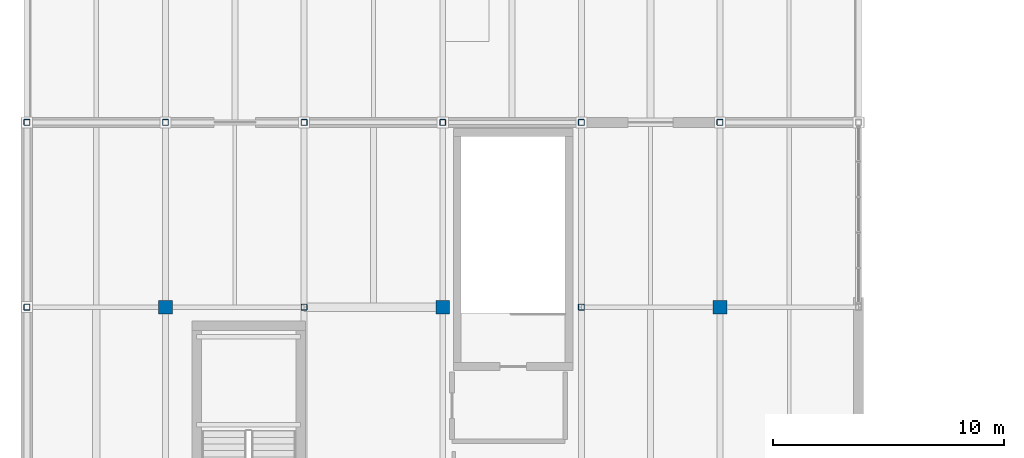
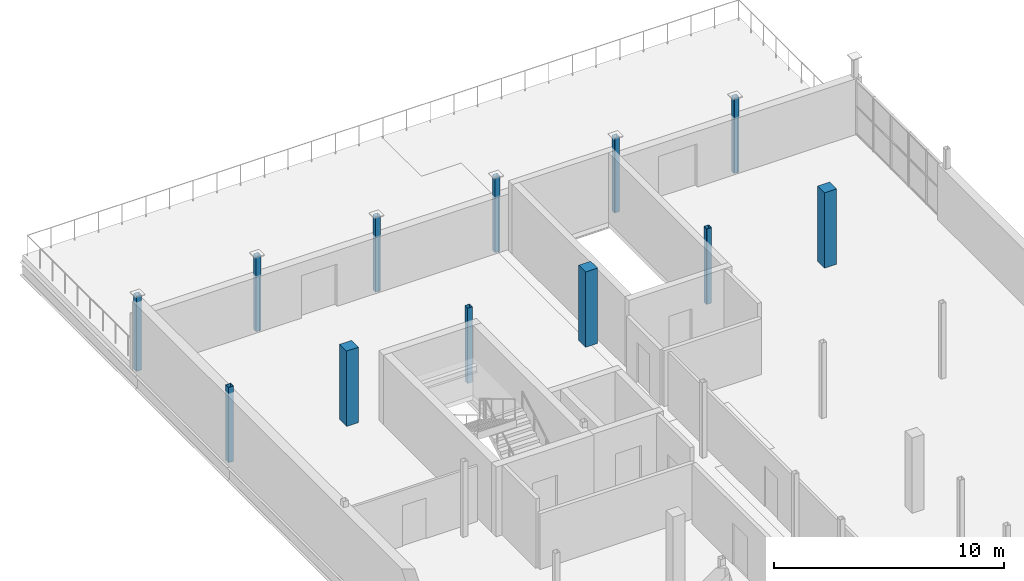
# One storey, part 7 of 35: 12 columns.
"""IFC4 building model written with IfcOpenShell, lengths in metres."""

from ifc_helpers import new_model, si_unit, direction, frame, origin, origin_2d, place, context, subcontext, project, spatial, rectangle, hollow_rectangle, extrude, material, material_profile, profile_set, type_object, element, save


model = new_model("IFC4")

# Units and contexts
model_context = context("Model", 3, precision=1e-05, world=origin(), true_north=direction((0.0, 1.0)))
body_context = subcontext(model_context, "Body", "Model", "MODEL_VIEW")
ifc_project = project(units=[si_unit("LENGTHUNIT", "METRE"), si_unit("AREAUNIT", "SQUARE_METRE"), si_unit("VOLUMEUNIT", "CUBIC_METRE"), si_unit("PLANEANGLEUNIT", "RADIAN"), si_unit("MASSUNIT", "GRAM", prefix="KILO")], contexts=[model_context])

# Site, building, storey
site_placement = place(None, origin())
site = spatial("IfcSite", under=ifc_project, at=site_placement, CompositionType="ELEMENT")
building_placement = place(site_placement, origin())
building = spatial("IfcBuilding", under=site, at=building_placement, Name="Verrall Gate Interchange", CompositionType="ELEMENT")
storey_placement = place(building_placement, frame((0.0, 0.0, 15.39990234375)))
storey = spatial("IfcBuildingStorey", under=building, at=storey_placement, Name="L04", CompositionType="ELEMENT", Elevation=15.39990234375)

# Columns
ifc_material_1 = material(Name="Concrete CSA A23.1 40 MPa (Class N)", Category="concrete")
ifc_material_profile_1 = material_profile(ifc_material_1, rectangle(XDim=0.60009765625, YDim=0.60009765625, at=origin_2d()), Name="RC600x600")
ifc_profile_set_1 = profile_set([ifc_material_profile_1], Name="Concrete CSA A23.1 40 MPa (Class N)")
column_type_1 = type_object("IfcColumnType", Name="C-04 Column RC600x600", PredefinedType="COLUMN", material=ifc_profile_set_1)
for number, where, z_axis, x_axis, name in (
    (1, (6.0, 66.0, 0.0), (0.0, 0.0, 1.0), (1.0, 0.0, 0.0), "L04 Column COL-L04-0229 (C-04)"),
    (2, (18.0, 66.0, 0.0), (0.0, 0.0, 1.0), (1.0, 0.0, 0.0), "L04 Column COL-L04-0463 (C-04)"),
    (3, (30.0, 66.0, 0.0), (0.0, 0.0, 1.0), (1.0, 0.0, 0.0), "L04 Column COL-L04-0697 (C-04)"),
):
    element("IfcColumn", number, at=place(storey_placement, frame(where, z_axis=z_axis, x_axis=x_axis)), inside=storey, type_object=column_type_1, Name=name, PredefinedType="COLUMN", context=body_context, shape_type="SweptSolid", body=[
        extrude(rectangle(XDim=0.60009765625, YDim=0.60009765625, at=origin_2d()), origin(), (0.0, 0.0, 1.0), 4.0),
    ])
ifc_material_2 = material(Name="Structural Steel CSA G40.21 350WT Cat 4", Category="steel")
ifc_material_profile_2 = material_profile(ifc_material_2, hollow_rectangle(XDim=0.25390625, YDim=0.25390625, WallThickness=0.009521484375, InnerFilletRadius=0.009521484375, OuterFilletRadius=0.01904296875, at=origin_2d()), Name="HSS254x254x9.5")
ifc_profile_set_2 = profile_set([ifc_material_profile_2], Name="Structural Steel CSA G40.21 350WT Cat 4")
column_type_2 = type_object("IfcColumnType", Name="C-13 Column HSS254x254x9.5", PredefinedType="COLUMN", material=ifc_profile_set_2)
for number, where, z_axis, x_axis, name in (
    (4, (0.0, 66.0, 0.0), (0.0, 0.0, 1.0), (1.0, 0.0, 0.0), "L04 Column COL-L04-0084 (C-13)"),
    (5, (0.0, 74.0, 0.0), (0.0, 0.0, 1.0), (1.0, 0.0, 0.0), "L04 Column COL-L04-0091 (C-13)"),
    (6, (6.0, 74.0, 0.0), (0.0, 0.0, 1.0), (1.0, 0.0, 0.0), "L04 Column COL-L04-0236 (C-13)"),
    (7, (12.0, 66.0, 0.0), (0.0, 0.0, 1.0), (1.0, 0.0, 0.0), "L04 Column COL-L04-0346 (C-13)"),
    (8, (12.0, 74.0, 0.0), (0.0, 0.0, 1.0), (1.0, 0.0, 0.0), "L04 Column COL-L04-0353 (C-13)"),
    (9, (18.0, 74.0, 0.0), (0.0, 0.0, 1.0), (1.0, 0.0, 0.0), "L04 Column COL-L04-0470 (C-13)"),
    (10, (24.0, 66.0, 0.0), (0.0, 0.0, 1.0), (1.0, 0.0, 0.0), "L04 Column COL-L04-0580 (C-13)"),
    (11, (24.0, 74.0, 0.0), (0.0, 0.0, 1.0), (1.0, 0.0, 0.0), "L04 Column COL-L04-0587 (C-13)"),
    (12, (30.0, 74.0, 0.0), (0.0, 0.0, 1.0), (1.0, 0.0, 0.0), "L04 Column COL-L04-0704 (C-13)"),
):
    element("IfcColumn", number, at=place(storey_placement, frame(where, z_axis=z_axis, x_axis=x_axis)), inside=storey, type_object=column_type_2, Name=name, PredefinedType="COLUMN", context=body_context, shape_type="SweptSolid", body=[
        extrude(hollow_rectangle(XDim=0.25390625, YDim=0.25390625, WallThickness=0.009521484375, InnerFilletRadius=0.009521484375, OuterFilletRadius=0.01904296875, at=origin_2d()), origin(), (0.0, 0.0, 1.0), 4.0),
    ])

save(model, "model.ifc")
